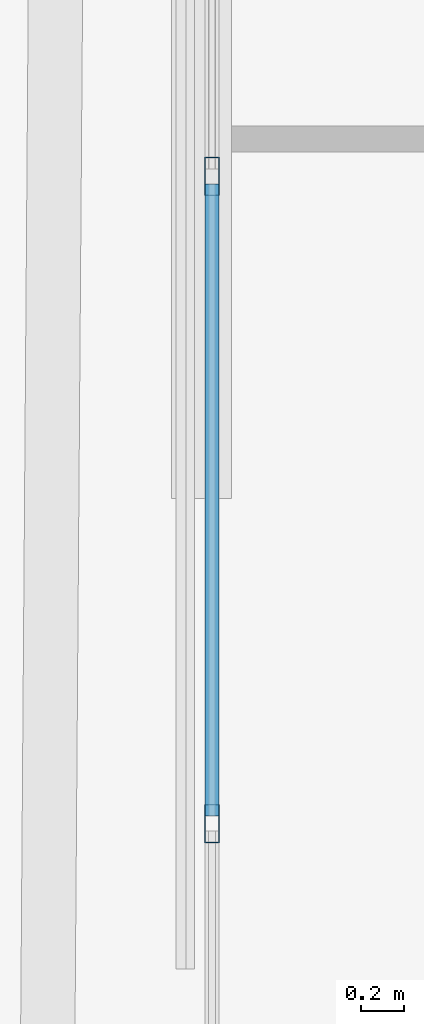
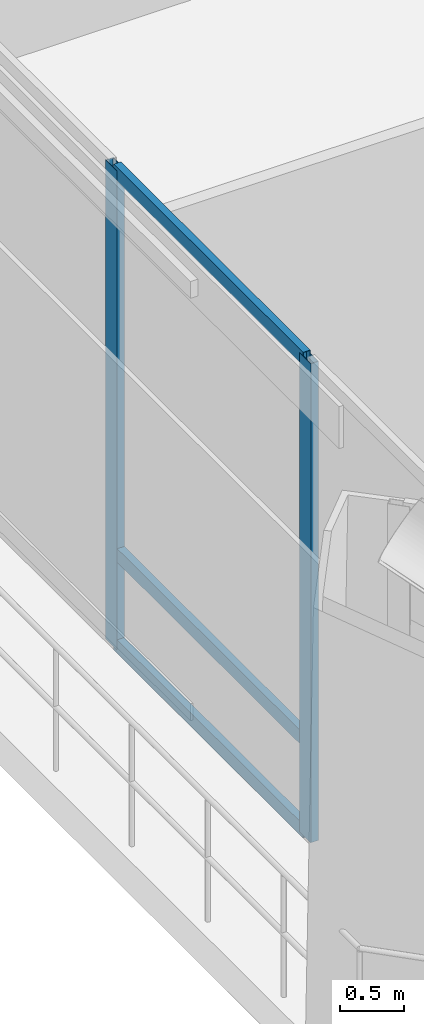
# One storey, part 5 of 48: 5 members, 1 element without a shape of its own.
"""IFC4 building model written with IfcOpenShell, lengths in metres."""

from ifc_helpers import new_model, si_unit, direction, frame, origin, origin_2d, place, context, subcontext, project, spatial, hollow_rectangle, extrude, material, layer, layer_set, material_profile, profile_set, type_object, element, aggregate, save


model = new_model("IFC4")

# Units and contexts
model_context = context("Model", 3, precision=1e-05, world=origin(), true_north=direction((0.0, 1.0)))
body_context = subcontext(model_context, "Body", "Model", "MODEL_VIEW")
ifc_project = project(units=[si_unit("LENGTHUNIT", "METRE"), si_unit("AREAUNIT", "SQUARE_METRE"), si_unit("VOLUMEUNIT", "CUBIC_METRE"), si_unit("PLANEANGLEUNIT", "RADIAN"), si_unit("MASSUNIT", "GRAM", prefix="KILO")], contexts=[model_context])

# Site, building, storey
site_placement = place(None, origin())
site = spatial("IfcSite", under=ifc_project, at=site_placement, CompositionType="ELEMENT")
building_placement = place(site_placement, origin())
building = spatial("IfcBuilding", under=site, at=building_placement, Name="Caelvoria Tower", CompositionType="ELEMENT")
storey_placement = place(building_placement, frame((0.0, 0.0, 90.39990234375)))
storey = spatial("IfcBuildingStorey", under=building, at=storey_placement, Name="L23", CompositionType="ELEMENT", Elevation=90.39990234375)

# Curtain wall, members
ifc_material_1 = material(Name="Anodised Bronze Aluminium and Low-E Glass", Category="aluminium")
ifc_layer = layer(ifc_material_1, 0.2099609375, Name="Anodised Bronze Aluminium and Low-E Glass")
ifc_layer_set = layer_set([ifc_layer], Name="CW System 3 Sky Lobby Double-Height Acoustic Facade - Anodised Bronze Aluminium and Low-E Glass")
curtain_wall_type = type_object("IfcCurtainWallType", Name="CW System 3 Sky Lobby Double-Height Acoustic Facade", PredefinedType="NOTDEFINED", material=ifc_layer_set)
curtain_wall_placement = place(storey_placement, origin())
curtain_wall = element("IfcCurtainWall", 1, at=curtain_wall_placement, inside=storey, type_object=curtain_wall_type, Name="CW-03 Curtain Wall L23-E6", PredefinedType="NOTDEFINED")
ifc_material_2 = material(Name="Anodised Bronze Architectural Aluminium", Category="aluminium")
ifc_material_profile_1 = material_profile(ifc_material_2, hollow_rectangle(XDim=0.070068359375, YDim=0.179931640625, WallThickness=0.00390625, at=origin_2d()), Name="Anodised Bronze Architectural Aluminium")
ifc_profile_set_1 = profile_set([ifc_material_profile_1], Name="CW_MULL_70X180 - Anodised Bronze Architectural Aluminium")
member_type_1 = type_object("IfcMemberType", Name="Curtain Wall Mullion 70x180 Bronze Aluminium", PredefinedType="MULLION", material=ifc_profile_set_1)
member_1_placement = place(storey_placement, frame((22.26318359375, 21.415283203125, 0.0), z_axis=(0.0, 0.0, 1.0), x_axis=(1.0, 0.0, 0.0)))
member_1 = element("IfcMember", 2, at=member_1_placement, type_object=member_type_1, Name="CW-03 mullion 10", PredefinedType="MULLION", context=body_context, shape_type="SweptSolid", body=[
    extrude(hollow_rectangle(XDim=0.070068359375, YDim=0.179931640625, WallThickness=0.00390625, at=origin_2d()), origin(), (0.0, 0.0, 1.0), 4.56005859375),
])
member_2_placement = place(storey_placement, frame((22.26318359375, 18.390869140625, 0.0), z_axis=(0.0, 0.0, 1.0), x_axis=(1.0, 0.0, 0.0)))
member_2 = element("IfcMember", 3, at=member_2_placement, type_object=member_type_1, Name="CW-03 mullion 11", PredefinedType="MULLION", context=body_context, shape_type="SweptSolid", body=[
    extrude(hollow_rectangle(XDim=0.070068359375, YDim=0.179931640625, WallThickness=0.00390625, at=origin_2d()), origin(), (0.0, 0.0, 1.0), 4.56005859375),
])
ifc_material_profile_2 = material_profile(ifc_material_2, hollow_rectangle(XDim=0.06494140625, YDim=0.1298828125, WallThickness=0.00341796875, at=origin_2d()), Name="Anodised Bronze Architectural Aluminium")
ifc_profile_set_2 = profile_set([ifc_material_profile_2], Name="CW_TRAN_65X130 - Anodised Bronze Architectural Aluminium")
member_type_2 = type_object("IfcMemberType", Name="Curtain Wall Transom 65x130 Bronze Aluminium", PredefinedType="USERDEFINED", material=ifc_profile_set_2)
member_3_placement = place(storey_placement, frame((22.26318359375, 21.380126953125, 0.03271484375), z_axis=(0.0, -1.0, 0.0), x_axis=(1.0, 0.0, 0.0)))
member_3 = element("IfcMember", 4, at=member_3_placement, type_object=member_type_2, Name="CW-03 transom 10.1", ObjectType="TRANSOM", PredefinedType="USERDEFINED", context=body_context, shape_type="SweptSolid", body=[
    extrude(hollow_rectangle(XDim=0.06494140625, YDim=0.1298828125, WallThickness=0.00341796875, at=origin_2d()), origin(), (0.0, 0.0, 1.0), 2.9541015625),
])
member_4_placement = place(storey_placement, frame((22.26318359375, 21.380126953125, 0.900146484375), z_axis=(0.0, -1.0, 0.0), x_axis=(1.0, 0.0, 0.0)))
member_4 = element("IfcMember", 5, at=member_4_placement, type_object=member_type_2, Name="CW-03 transom 10.2", ObjectType="TRANSOM", PredefinedType="USERDEFINED", context=body_context, shape_type="SweptSolid", body=[
    extrude(hollow_rectangle(XDim=0.06494140625, YDim=0.1298828125, WallThickness=0.00341796875, at=origin_2d()), origin(), (0.0, 0.0, 1.0), 2.9541015625),
])
member_5_placement = place(storey_placement, frame((22.26318359375, 21.380126953125, 4.527587890625), z_axis=(0.0, -1.0, 0.0), x_axis=(1.0, 0.0, 0.0)))
member_5 = element("IfcMember", 6, at=member_5_placement, type_object=member_type_2, Name="CW-03 transom 10.3", ObjectType="TRANSOM", PredefinedType="USERDEFINED", context=body_context, shape_type="SweptSolid", body=[
    extrude(hollow_rectangle(XDim=0.06494140625, YDim=0.1298828125, WallThickness=0.00341796875, at=origin_2d()), origin(), (0.0, 0.0, 1.0), 2.9541015625),
])
aggregate(curtain_wall, [member_1, member_2, member_3, member_4, member_5])

save(model, "model.ifc")
